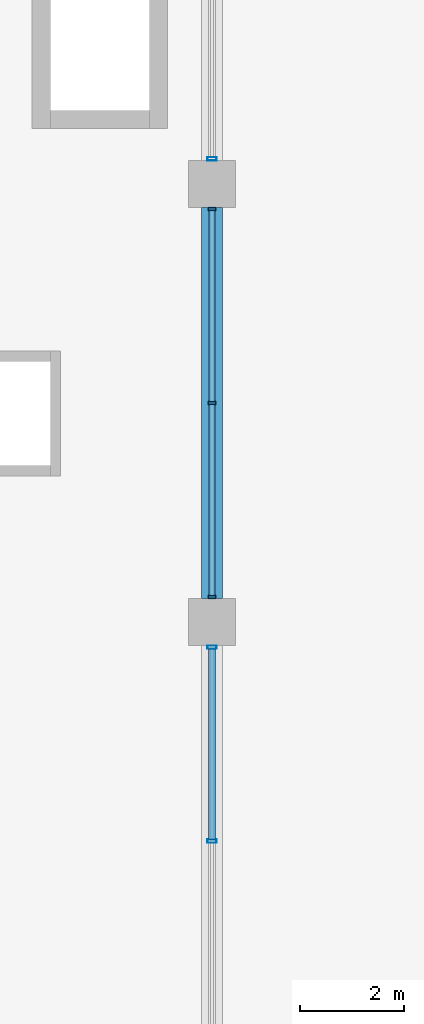
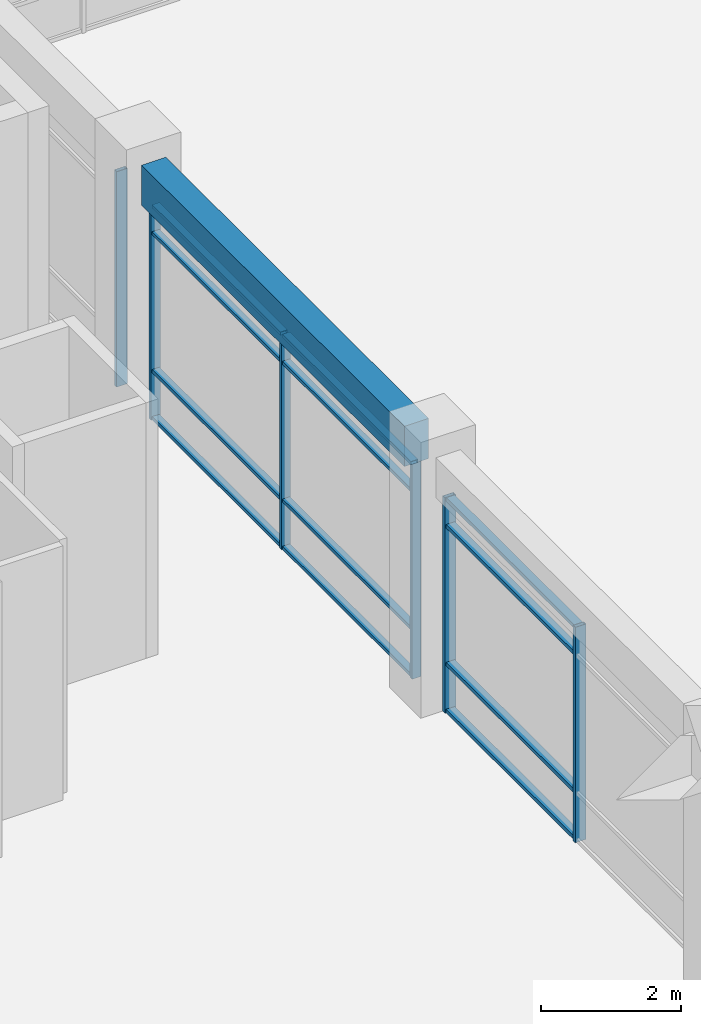
# One storey, part 7 of 74: 18 members, 1 beam, 3 elements without a shape of their own.
"""IFC4 building model written with IfcOpenShell, lengths in metres."""

import ifcopenshell
import ifcopenshell.guid

model = None  # the IFC model being written
_history = None  # IfcOwnerHistory: only IFC2X3 demands one
_inside = {}  # id of a spatial element -> (the spatial element, [elements in it])
_under = {}  # id of a project, library or spatial element -> (it, [spatial elements below it])
_declared = {}  # id of a project -> (the project, [libraries it declares])
_typed = {}  # id of a type object -> (the type object, [elements of that type])
_made_of = {}  # id of a material, layer set ... -> (it, [elements and type objects made of it])


def new_model(schema):
    """Start an empty IFC model of exactly this schema.

    Asked for "IFC4X3", IfcOpenShell would pick the latest addendum, in which some entities
    have other attributes; the version numbers below select the first issue.
    IFC2X3 requires an IfcOwnerHistory on every rooted entity: one is made here for all.
    """
    global model, _history
    if schema == "IFC4X3":
        model = ifcopenshell.file(schema_version=(4, 3, 0, 0))
    else:
        model = ifcopenshell.file(schema=schema)
    _inside.clear()
    _under.clear()
    _declared.clear()
    _typed.clear()
    _made_of.clear()
    _history = None
    if model.schema == "IFC2X3":
        org = make("IfcOrganization", Name="unknown")
        user = make(
            "IfcPersonAndOrganization",
            ThePerson=make("IfcPerson", FamilyName="unknown"),
            TheOrganization=org,
        )
        app = make(
            "IfcApplication",
            ApplicationDeveloper=org,
            Version="unknown",
            ApplicationFullName="unknown",
            ApplicationIdentifier="unknown",
        )
        _history = make(
            "IfcOwnerHistory",
            OwningUser=user,
            OwningApplication=app,
            ChangeAction="ADDED",
            CreationDate=0,
        )
    return model


def make(cls, **values):
    """One entity of the class cls with the attributes given. An attribute that is None is left unset."""
    return model.create_entity(
        cls, **{name: value for name, value in values.items() if value is not None}
    )


def rooted(cls, **values):
    """An entity with a GlobalId (a new one), such as an element, a storey or a relation."""
    return make(cls, GlobalId=ifcopenshell.guid.new(), OwnerHistory=_history, **values)


def si_unit(unit_type, name, prefix=None):
    """IfcSIUnit, for example si_unit("LENGTHUNIT", "METRE", prefix="MILLI")."""
    return make("IfcSIUnit", UnitType=unit_type, Prefix=prefix, Name=name)


def assignment(units):
    """IfcUnitAssignment: the units of a project."""
    return None if units is None else make("IfcUnitAssignment", Units=units)


def point(xyz):
    """IfcCartesianPoint."""
    return None if xyz is None else make("IfcCartesianPoint", Coordinates=xyz)


def direction(xyz):
    """IfcDirection."""
    return None if xyz is None else make("IfcDirection", DirectionRatios=xyz)


def frame(location, z_axis=None, x_axis=None):
    """IfcAxis2Placement3D, a coordinate frame: its origin and axes. An axis left out is left unset."""
    return make(
        "IfcAxis2Placement3D",
        Location=point(location),
        Axis=direction(z_axis),
        RefDirection=direction(x_axis),
    )


def frame_2d(location, x_axis=None):
    """IfcAxis2Placement2D, a coordinate frame in the plane: its origin and x axis."""
    return make(
        "IfcAxis2Placement2D", Location=point(location), RefDirection=direction(x_axis)
    )


def origin():
    """The frame at (0, 0, 0) with its axes left unset."""
    return frame((0.0, 0.0, 0.0))


def origin_2d():
    """The frame at (0, 0) in the plane with its x axis left unset."""
    return frame_2d((0.0, 0.0))


def place(relative_to, where):
    """IfcLocalPlacement: puts the frame where relative to a parent placement (None: the world)."""
    return make(
        "IfcLocalPlacement", PlacementRelTo=relative_to, RelativePlacement=where
    )


def context(
    kind, dimensions, precision=None, world=None, true_north=None, identifier=None
):
    """IfcGeometricRepresentationContext, for example the 3D "Model" context."""
    return make(
        "IfcGeometricRepresentationContext",
        ContextIdentifier=identifier,
        ContextType=kind,
        CoordinateSpaceDimension=dimensions,
        Precision=precision,
        WorldCoordinateSystem=world,
        TrueNorth=true_north,
    )


def subcontext(parent, identifier, kind, view, scale=None):
    """IfcGeometricRepresentationSubContext, for example "Body" below "Model"."""
    return make(
        "IfcGeometricRepresentationSubContext",
        ContextIdentifier=identifier,
        ContextType=kind,
        ParentContext=parent,
        TargetScale=scale,
        TargetView=view,
    )


def project(units=None, contexts=None):
    """IfcProject with its units and contexts."""
    return rooted(
        "IfcProject",
        Name="project",
        RepresentationContexts=contexts,
        UnitsInContext=assignment(units),
    )


def spatial(cls, under=None, at=None, **own):
    """A site, building, storey or space (cls), placed at a placement, below another one or the project."""
    s = rooted(cls, ObjectPlacement=at, **own)
    if under is not None:
        _under.setdefault(under.id(), (under, []))[1].append(s)
    return s


def profile(cls, at=None, kind="AREA", **sizes):
    """A parametric profile (cls). Its sizes go by their IFC names, for example OverallWidth=200.0."""
    return make(cls, ProfileType=kind, Position=at, **sizes)


def rectangle(**sizes):
    """IfcRectangleProfileDef."""
    return profile("IfcRectangleProfileDef", **sizes)


def hollow_rectangle(**sizes):
    """IfcRectangleHollowProfileDef."""
    return profile("IfcRectangleHollowProfileDef", **sizes)


def extrude(swept, where, along, depth):
    """IfcExtrudedAreaSolid: the profile swept, set in the frame where, extruded along a direction by depth."""
    return make(
        "IfcExtrudedAreaSolid",
        SweptArea=swept,
        Position=where,
        ExtrudedDirection=direction(along),
        Depth=depth,
    )


def shape(context_of_items, identifier, shape_type, items):
    """IfcShapeRepresentation: the items that make up one representation, for example the "Body"."""
    return make(
        "IfcShapeRepresentation",
        ContextOfItems=context_of_items,
        RepresentationIdentifier=identifier,
        RepresentationType=shape_type,
        Items=items,
    )


def material(Name=None, Category=None):
    """IfcMaterial."""
    return make("IfcMaterial", Name=Name, Category=Category)


def material_profile(
    of_material, cross_section, Name=None, Category=None, Priority=None
):
    """IfcMaterialProfile: a cross section and its material."""
    return make(
        "IfcMaterialProfile",
        Name=Name,
        Material=of_material,
        Profile=cross_section,
        Priority=Priority,
        Category=Category,
    )


def profile_set(profiles, Name=None, composite=None):
    """IfcMaterialProfileSet."""
    return make(
        "IfcMaterialProfileSet",
        Name=Name,
        MaterialProfiles=profiles,
        CompositeProfile=composite,
    )


def made_of(thing, what):
    """Note that an element or type object is made of a material, layer set ...; save() writes the relation."""
    if what is not None:
        _made_of.setdefault(what.id(), (what, []))[1].append(thing)
    return thing


def type_object(cls, material=None, **own):
    """A type object (cls), such as IfcWallType, which elements share."""
    return made_of(rooted(cls, **own), material)


def element(
    cls,
    number,
    at=None,
    inside=None,
    cuts=None,
    type_object=None,
    material=None,
    context=None,
    identifier="Body",
    shape_type=None,
    held_by="IfcProductDefinitionShape",
    body=None,
    shapes=None,
    **own,
):
    """One element of the class cls, such as IfcWall. Its Tag is "e" and its number.

    at: its placement. inside: the storey or other place that contains it. cuts: it is an
    opening in that element (IfcRelVoidsElement). A single representation is given by context,
    identifier, shape_type and body (its items); several are given by shapes. held_by: the class
    of the entity that holds the representations. save() writes the other relations.
    """
    e = rooted(cls, Tag="e%d" % number, ObjectPlacement=at, **own)
    if body is not None:
        shapes = [shape(context, identifier, shape_type, body)]
    if shapes is not None:
        e.Representation = make(held_by, Representations=shapes)
    if inside is not None:
        _inside.setdefault(inside.id(), (inside, []))[1].append(e)
    if cuts is not None:
        rooted(
            "IfcRelVoidsElement", RelatingBuildingElement=cuts, RelatedOpeningElement=e
        )
    if type_object is not None:
        _typed.setdefault(type_object.id(), (type_object, []))[1].append(e)
    return made_of(e, material)


def aggregate(whole, parts):
    """IfcRelAggregates: a whole, such as a stair, and the parts it consists of."""
    return rooted("IfcRelAggregates", RelatingObject=whole, RelatedObjects=parts)


def save(model, path):
    """Write the relations noted so far, then the file.

    IfcRelAggregates (storeys below a building ...), IfcRelContainedInSpatialStructure (elements
    in a storey), IfcRelDefinesByType, IfcRelAssociatesMaterial and IfcRelDeclares: one each for
    every whole, place, type object, material and project.
    """
    for whole, parts in _under.values():
        aggregate(whole, parts)
    for where, things in _inside.values():
        rooted(
            "IfcRelContainedInSpatialStructure",
            RelatedElements=things,
            RelatingStructure=where,
        )
    for kind, things in _typed.values():
        rooted("IfcRelDefinesByType", RelatedObjects=things, RelatingType=kind)
    for what, things in _made_of.values():
        rooted("IfcRelAssociatesMaterial", RelatedObjects=things, RelatingMaterial=what)
    for by, libraries in _declared.values():
        rooted("IfcRelDeclares", RelatingContext=by, RelatedDefinitions=libraries)
    model.write(path)


model = new_model("IFC4")

# Units and contexts
model_context = context("Model", 3, precision=1e-05, world=origin(), true_north=direction((0.0, 1.0)))
body_context = subcontext(model_context, "Body", "Model", "MODEL_VIEW")
ifc_project = project(units=[si_unit("LENGTHUNIT", "METRE"), si_unit("AREAUNIT", "SQUARE_METRE"), si_unit("VOLUMEUNIT", "CUBIC_METRE"), si_unit("PLANEANGLEUNIT", "RADIAN"), si_unit("MASSUNIT", "GRAM", prefix="KILO"), si_unit("THERMODYNAMICTEMPERATUREUNIT", "KELVIN"), si_unit("POWERUNIT", "WATT")], contexts=[model_context])

# Site, building, storey
site_placement = place(None, origin())
site = spatial("IfcSite", under=ifc_project, at=site_placement, CompositionType="ELEMENT")
building_placement = place(site_placement, origin())
building = spatial("IfcBuilding", under=site, at=building_placement, Name="Srebrne Nadtorze General Hospital", CompositionType="ELEMENT")
storey_placement = place(building_placement, origin())
storey = spatial("IfcBuildingStorey", under=building, at=storey_placement, Name="L00", CompositionType="ELEMENT", Elevation=0.0)

# Curtain wall, members
ifc_material_1 = material(Name="Anodised Aluminium", Category="aluminium")
curtain_wall_type = type_object("IfcCurtainWallType", Name="Unitised curtain wall 7500x3750", PredefinedType="NOTDEFINED", material=ifc_material_1)
curtain_wall_1_placement = place(storey_placement, origin())
curtain_wall_1 = element("IfcCurtainWall", 1, at=curtain_wall_1_placement, inside=storey, type_object=curtain_wall_type, Name="Curtain wall CW-020", PredefinedType="NOTDEFINED")
ifc_material_2 = material(Name="Anodised Aluminium", Category="aluminium")
ifc_material_profile_1 = material_profile(ifc_material_2, hollow_rectangle(XDim=0.06005859375, YDim=0.14990234375, WallThickness=0.00390625, at=origin_2d()), Name="AL-MUL-60x150")
ifc_profile_set_1 = profile_set([ifc_material_profile_1], Name="Anodised Aluminium")
member_type_1 = type_object("IfcMemberType", Name="Curtain mullion 60x150", PredefinedType="MULLION", material=ifc_profile_set_1)
member_1_placement = place(storey_placement, frame((54.60009765625, 34.080078125, 0.0), z_axis=(0.0, 0.0, 1.0), x_axis=(0.0, 1.0, 0.0)))
member_1 = element("IfcMember", 2, at=member_1_placement, type_object=member_type_1, Name="CW-020 mullion 1", PredefinedType="MULLION", context=body_context, shape_type="SweptSolid", body=[
    extrude(hollow_rectangle(XDim=0.06005859375, YDim=0.14990234375, WallThickness=0.00390625, at=origin_2d()), origin(), (0.0, 0.0, 1.0), 3.75),
])
member_2_placement = place(storey_placement, frame((54.60009765625, 37.800048828125, 0.0), z_axis=(0.0, 0.0, 1.0), x_axis=(0.0, 1.0, 0.0)))
member_2 = element("IfcMember", 3, at=member_2_placement, type_object=member_type_1, Name="CW-020 mullion 2", PredefinedType="MULLION", context=body_context, shape_type="SweptSolid", body=[
    extrude(hollow_rectangle(XDim=0.06005859375, YDim=0.14990234375, WallThickness=0.00390625, at=origin_2d()), origin(), (0.0, 0.0, 1.0), 3.75),
])
member_3_placement = place(storey_placement, frame((54.60009765625, 41.52001953125, 0.0), z_axis=(0.0, 0.0, 1.0), x_axis=(0.0, 1.0, 0.0)))
member_3 = element("IfcMember", 4, at=member_3_placement, type_object=member_type_1, Name="CW-020 mullion 3", PredefinedType="MULLION", context=body_context, shape_type="SweptSolid", body=[
    extrude(hollow_rectangle(XDim=0.06005859375, YDim=0.14990234375, WallThickness=0.00390625, at=origin_2d()), origin(), (0.0, 0.0, 1.0), 3.75),
])

curtain_wall_2_placement = place(storey_placement, origin())
curtain_wall_2 = element("IfcCurtainWall", 5, at=curtain_wall_2_placement, inside=storey, type_object=curtain_wall_type, Name="Curtain wall CW-019", PredefinedType="NOTDEFINED")
ifc_material_3 = material(Name="Anodised Aluminium", Category="aluminium")
ifc_material_profile_2 = material_profile(ifc_material_3, hollow_rectangle(XDim=0.06494140625, YDim=0.179931640625, WallThickness=0.00390625, at=origin_2d()), Name="AL-MUL-65x180")
ifc_profile_set_2 = profile_set([ifc_material_profile_2], Name="Anodised Aluminium")
member_type_2 = type_object("IfcMemberType", Name="Curtain mullion 65x180", PredefinedType="MULLION", material=ifc_profile_set_2)
member_4_placement = place(storey_placement, frame((54.60009765625, 29.39990234375, 0.0), z_axis=(0.0, 0.0, 1.0), x_axis=(0.0, 1.0, 0.0)))
member_4 = element("IfcMember", 6, at=member_4_placement, type_object=member_type_2, Name="CW-019 mullion 2", PredefinedType="MULLION", context=body_context, shape_type="SweptSolid", body=[
    extrude(hollow_rectangle(XDim=0.06494140625, YDim=0.179931640625, WallThickness=0.00390625, at=origin_2d()), origin(), (0.0, 0.0, 1.0), 3.75),
])
member_5_placement = place(storey_placement, frame((54.60009765625, 33.117431640625, 0.0), z_axis=(0.0, 0.0, 1.0), x_axis=(0.0, 1.0, 0.0)))
member_5 = element("IfcMember", 7, at=member_5_placement, type_object=member_type_2, Name="CW-019 mullion 3", PredefinedType="MULLION", context=body_context, shape_type="SweptSolid", body=[
    extrude(hollow_rectangle(XDim=0.06494140625, YDim=0.179931640625, WallThickness=0.00390625, at=origin_2d()), origin(), (0.0, 0.0, 1.0), 3.75),
])

# Curtain wall, member
curtain_wall_3_placement = place(storey_placement, origin())
curtain_wall_3 = element("IfcCurtainWall", 8, at=curtain_wall_3_placement, inside=storey, type_object=curtain_wall_type, Name="Curtain wall CW-021", PredefinedType="NOTDEFINED")
member_6_placement = place(storey_placement, frame((54.60009765625, 42.482421875, 0.0), z_axis=(0.0, 0.0, 1.0), x_axis=(0.0, 1.0, 0.0)))
member_6 = element("IfcMember", 9, at=member_6_placement, type_object=member_type_2, Name="CW-021 mullion 1", PredefinedType="MULLION", context=body_context, shape_type="SweptSolid", body=[
    extrude(hollow_rectangle(XDim=0.06494140625, YDim=0.179931640625, WallThickness=0.00390625, at=origin_2d()), origin(), (0.0, 0.0, 1.0), 3.75),
])
aggregate(curtain_wall_3, [member_6])

# Member
ifc_material_4 = material(Name="Anodised Aluminium", Category="aluminium")
ifc_material_profile_3 = material_profile(ifc_material_4, hollow_rectangle(XDim=0.06005859375, YDim=0.1201171875, WallThickness=0.00390625, at=origin_2d()), Name="AL-TRN-60x120")
ifc_profile_set_3 = profile_set([ifc_material_profile_3], Name="Anodised Aluminium")
member_type_3 = type_object("IfcMemberType", Name="Curtain transom 60x120", PredefinedType="USERDEFINED", material=ifc_profile_set_3)
member_7_placement = place(storey_placement, frame((54.60009765625, 34.110107421875, 0.030029296875), z_axis=(0.0, 1.0, 0.0), x_axis=(0.0, 0.0, 1.0)))
member_7 = element("IfcMember", 10, at=member_7_placement, type_object=member_type_3, Name="CW-020 transom 1.1", ObjectType="TRANSOM", PredefinedType="USERDEFINED", context=body_context, shape_type="SweptSolid", body=[
    extrude(hollow_rectangle(XDim=0.06005859375, YDim=0.1201171875, WallThickness=0.00390625, at=origin_2d()), origin(), (0.0, 0.0, 1.0), 3.659912109375),
])

member_8_placement = place(storey_placement, frame((54.60009765625, 34.110107421875, 0.85009765625), z_axis=(0.0, 1.0, 0.0), x_axis=(0.0, 0.0, 1.0)))
member_8 = element("IfcMember", 11, at=member_8_placement, type_object=member_type_3, Name="CW-020 transom 1.2", ObjectType="TRANSOM", PredefinedType="USERDEFINED", context=body_context, shape_type="SweptSolid", body=[
    extrude(hollow_rectangle(XDim=0.06005859375, YDim=0.1201171875, WallThickness=0.00390625, at=origin_2d()), origin(), (0.0, 0.0, 1.0), 3.659912109375),
])

member_9_placement = place(storey_placement, frame((54.60009765625, 34.110107421875, 3.25), z_axis=(0.0, 1.0, 0.0), x_axis=(0.0, 0.0, 1.0)))
member_9 = element("IfcMember", 12, at=member_9_placement, type_object=member_type_3, Name="CW-020 transom 1.3", ObjectType="TRANSOM", PredefinedType="USERDEFINED", context=body_context, shape_type="SweptSolid", body=[
    extrude(hollow_rectangle(XDim=0.06005859375, YDim=0.1201171875, WallThickness=0.00390625, at=origin_2d()), origin(), (0.0, 0.0, 1.0), 3.659912109375),
])

member_10_placement = place(storey_placement, frame((54.60009765625, 34.110107421875, 3.719970703125), z_axis=(0.0, 1.0, 0.0), x_axis=(0.0, 0.0, 1.0)))
member_10 = element("IfcMember", 13, at=member_10_placement, type_object=member_type_3, Name="CW-020 transom 1.4", ObjectType="TRANSOM", PredefinedType="USERDEFINED", context=body_context, shape_type="SweptSolid", body=[
    extrude(hollow_rectangle(XDim=0.06005859375, YDim=0.1201171875, WallThickness=0.00390625, at=origin_2d()), origin(), (0.0, 0.0, 1.0), 3.659912109375),
])

member_11_placement = place(storey_placement, frame((54.60009765625, 37.830078125, 0.030029296875), z_axis=(0.0, 1.0, 0.0), x_axis=(0.0, 0.0, 1.0)))
member_11 = element("IfcMember", 14, at=member_11_placement, type_object=member_type_3, Name="CW-020 transom 2.1", ObjectType="TRANSOM", PredefinedType="USERDEFINED", context=body_context, shape_type="SweptSolid", body=[
    extrude(hollow_rectangle(XDim=0.06005859375, YDim=0.1201171875, WallThickness=0.00390625, at=origin_2d()), origin(), (0.0, 0.0, 1.0), 3.659912109375),
])

member_12_placement = place(storey_placement, frame((54.60009765625, 37.830078125, 0.85009765625), z_axis=(0.0, 1.0, 0.0), x_axis=(0.0, 0.0, 1.0)))
member_12 = element("IfcMember", 15, at=member_12_placement, type_object=member_type_3, Name="CW-020 transom 2.2", ObjectType="TRANSOM", PredefinedType="USERDEFINED", context=body_context, shape_type="SweptSolid", body=[
    extrude(hollow_rectangle(XDim=0.06005859375, YDim=0.1201171875, WallThickness=0.00390625, at=origin_2d()), origin(), (0.0, 0.0, 1.0), 3.659912109375),
])

member_13_placement = place(storey_placement, frame((54.60009765625, 37.830078125, 3.25), z_axis=(0.0, 1.0, 0.0), x_axis=(0.0, 0.0, 1.0)))
member_13 = element("IfcMember", 16, at=member_13_placement, type_object=member_type_3, Name="CW-020 transom 2.3", ObjectType="TRANSOM", PredefinedType="USERDEFINED", context=body_context, shape_type="SweptSolid", body=[
    extrude(hollow_rectangle(XDim=0.06005859375, YDim=0.1201171875, WallThickness=0.00390625, at=origin_2d()), origin(), (0.0, 0.0, 1.0), 3.659912109375),
])

member_14_placement = place(storey_placement, frame((54.60009765625, 37.830078125, 3.719970703125), z_axis=(0.0, 1.0, 0.0), x_axis=(0.0, 0.0, 1.0)))
member_14 = element("IfcMember", 17, at=member_14_placement, type_object=member_type_3, Name="CW-020 transom 2.4", ObjectType="TRANSOM", PredefinedType="USERDEFINED", context=body_context, shape_type="SweptSolid", body=[
    extrude(hollow_rectangle(XDim=0.06005859375, YDim=0.1201171875, WallThickness=0.00390625, at=origin_2d()), origin(), (0.0, 0.0, 1.0), 3.659912109375),
])

aggregate(curtain_wall_1, [member_1, member_2, member_3, member_7, member_8, member_9, member_10, member_11, member_12, member_13, member_14])

ifc_material_5 = material(Name="Anodised Aluminium", Category="aluminium")
ifc_material_profile_4 = material_profile(ifc_material_5, hollow_rectangle(XDim=0.06494140625, YDim=0.139892578125, WallThickness=0.00390625, at=origin_2d()), Name="AL-TRN-65x140")
ifc_profile_set_4 = profile_set([ifc_material_profile_4], Name="Anodised Aluminium")
member_type_4 = type_object("IfcMemberType", Name="Curtain transom 65x140", PredefinedType="USERDEFINED", material=ifc_profile_set_4)
member_15_placement = place(storey_placement, frame((54.60009765625, 29.4326171875, 0.032470703125), z_axis=(0.0, 1.0, 0.0), x_axis=(0.0, 0.0, 1.0)))
member_15 = element("IfcMember", 18, at=member_15_placement, type_object=member_type_4, Name="CW-019 transom 2.1", ObjectType="TRANSOM", PredefinedType="USERDEFINED", context=body_context, shape_type="SweptSolid", body=[
    extrude(hollow_rectangle(XDim=0.06494140625, YDim=0.139892578125, WallThickness=0.00390625, at=origin_2d()), origin(), (0.0, 0.0, 1.0), 3.65234375),
])

member_16_placement = place(storey_placement, frame((54.60009765625, 29.4326171875, 0.85009765625), z_axis=(0.0, 1.0, 0.0), x_axis=(0.0, 0.0, 1.0)))
member_16 = element("IfcMember", 19, at=member_16_placement, type_object=member_type_4, Name="CW-019 transom 2.2", ObjectType="TRANSOM", PredefinedType="USERDEFINED", context=body_context, shape_type="SweptSolid", body=[
    extrude(hollow_rectangle(XDim=0.06494140625, YDim=0.139892578125, WallThickness=0.00390625, at=origin_2d()), origin(), (0.0, 0.0, 1.0), 3.65234375),
])

member_17_placement = place(storey_placement, frame((54.60009765625, 29.4326171875, 3.25), z_axis=(0.0, 1.0, 0.0), x_axis=(0.0, 0.0, 1.0)))
member_17 = element("IfcMember", 20, at=member_17_placement, type_object=member_type_4, Name="CW-019 transom 2.3", ObjectType="TRANSOM", PredefinedType="USERDEFINED", context=body_context, shape_type="SweptSolid", body=[
    extrude(hollow_rectangle(XDim=0.06494140625, YDim=0.139892578125, WallThickness=0.00390625, at=origin_2d()), origin(), (0.0, 0.0, 1.0), 3.65234375),
])

member_18_placement = place(storey_placement, frame((54.60009765625, 29.4326171875, 3.717529296875), z_axis=(0.0, 1.0, 0.0), x_axis=(0.0, 0.0, 1.0)))
member_18 = element("IfcMember", 21, at=member_18_placement, type_object=member_type_4, Name="CW-019 transom 2.4", ObjectType="TRANSOM", PredefinedType="USERDEFINED", context=body_context, shape_type="SweptSolid", body=[
    extrude(hollow_rectangle(XDim=0.06494140625, YDim=0.139892578125, WallThickness=0.00390625, at=origin_2d()), origin(), (0.0, 0.0, 1.0), 3.65234375),
])

aggregate(curtain_wall_2, [member_4, member_5, member_15, member_16, member_17, member_18])

# Beam
ifc_material_6 = material(Name="Concrete C40/50", Category="concrete")
ifc_material_profile_5 = material_profile(ifc_material_6, rectangle(XDim=0.39990234375, YDim=0.699951171875, at=origin_2d()), Name="RC-BM-400x700")
ifc_profile_set_5 = profile_set([ifc_material_profile_5], Name="Concrete C40/50")
beam_type = type_object("IfcBeamType", Name="Edge beam RC 400x700", PredefinedType="BEAM", material=ifc_profile_set_5)
beam_placement = place(storey_placement, frame((54.60009765625, 34.050048828125, 4.10009765625), z_axis=(0.0, 1.0, 0.0), x_axis=(-1.0, 0.0, 0.0)))
element("IfcBeam", 22, at=beam_placement, inside=storey, type_object=beam_type, Name="Beam BM-L00-Y-0309", PredefinedType="BEAM", context=body_context, shape_type="SweptSolid", body=[
    extrude(rectangle(XDim=0.39990234375, YDim=0.699951171875, at=origin_2d()), origin(), (0.0, 0.0, 1.0), 7.5),
])

save(model, "model.ifc")
